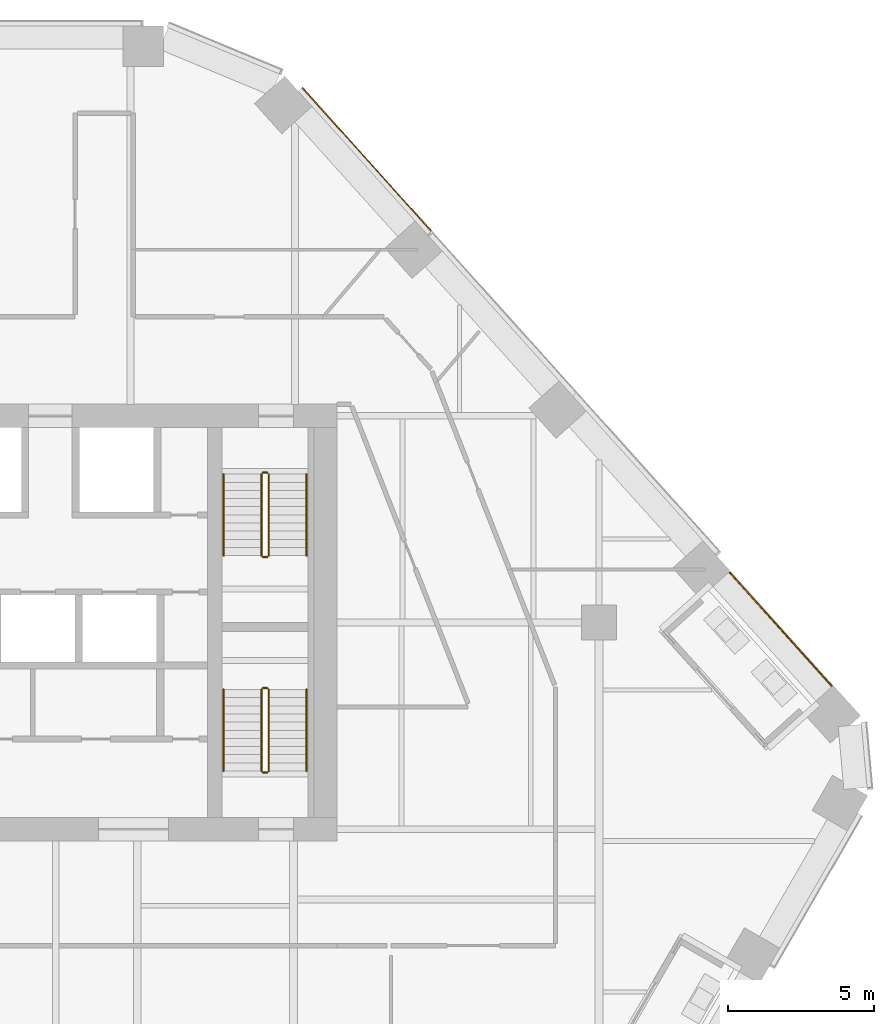
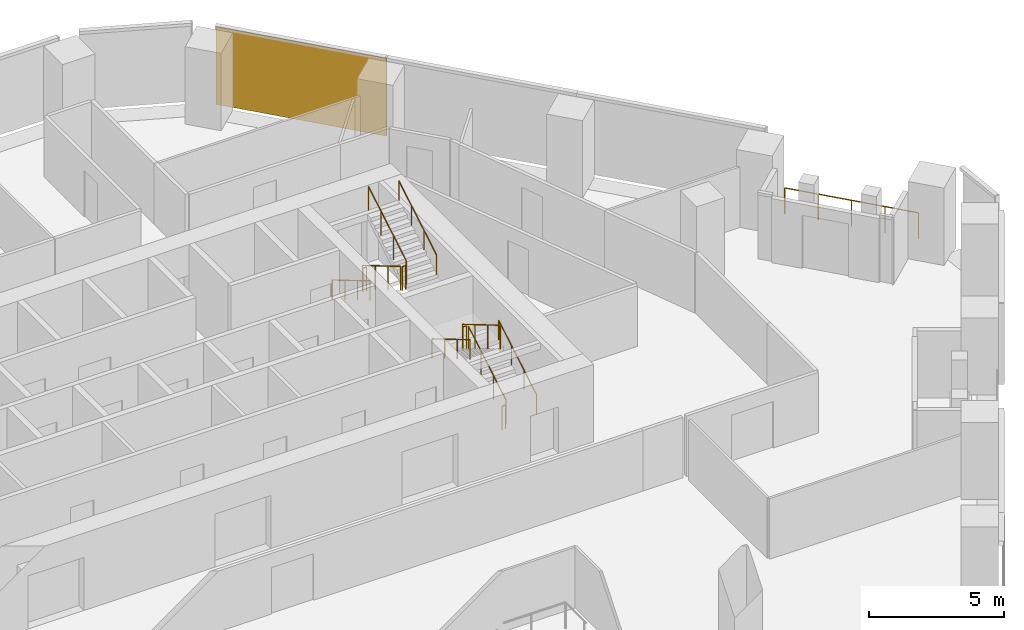
# One storey, part 25 of 26: 13 railings, 1 covering, 1 element without a shape of its own.
"""IFC4 building model written with IfcOpenShell, lengths in metres."""

from ifc_helpers import new_model, si_unit, direction, frame, origin, origin_2d, place, context, subcontext, project, spatial, rectangle, circle, extrude, material, layer, layer_set, type_object, element, aggregate, save


model = new_model("IFC4")

# Units and contexts
model_context = context("Model", 3, precision=1e-05, world=origin(), true_north=direction((0.0, 1.0)))
body_context = subcontext(model_context, "Body", "Model", "MODEL_VIEW")
ifc_project = project(units=[si_unit("LENGTHUNIT", "METRE"), si_unit("AREAUNIT", "SQUARE_METRE"), si_unit("VOLUMEUNIT", "CUBIC_METRE"), si_unit("PLANEANGLEUNIT", "RADIAN"), si_unit("MASSUNIT", "GRAM", prefix="KILO")], contexts=[model_context])

# Site, building, storey
site_placement = place(None, origin())
site = spatial("IfcSite", under=ifc_project, at=site_placement, CompositionType="ELEMENT")
building_placement = place(site_placement, origin())
building = spatial("IfcBuilding", under=site, at=building_placement, Name="Isthmus Gate Tower", CompositionType="ELEMENT")
storey_placement = place(building_placement, frame((0.0, 0.0, 129.800048828125)))
storey = spatial("IfcBuildingStorey", under=building, at=storey_placement, Name="L31", CompositionType="ELEMENT", Elevation=129.800048828125)

# Curtain wall, covering
ifc_material_1 = material(Name="Aluminium, pale champagne anodised", Category="aluminium")
ifc_layer_1 = layer(ifc_material_1, 0.199951171875)
ifc_layer_set_1 = layer_set([ifc_layer_1], Name="CW-1 UNITISED CURTAIN WALL 200 DEEP")
curtain_wall_type = type_object("IfcCurtainWallType", Name="CW-1 UNITISED CURTAIN WALL 200 DEEP", PredefinedType="NOTDEFINED", material=ifc_layer_set_1)
curtain_wall_placement = place(storey_placement, origin())
curtain_wall = element("IfcCurtainWall", 1, at=curtain_wall_placement, inside=storey, type_object=curtain_wall_type, Name="CW-1 NE L31", PredefinedType="NOTDEFINED")
ifc_material_2 = material(Name="Aluminium composite panel, pale champagne anodised", Category="aluminium")
ifc_layer_2 = layer(ifc_material_2, 0.035888671875)
ifc_layer_set_2 = layer_set([ifc_layer_2], Name="CW-1 PALE METAL PANEL 36")
covering_type = type_object("IfcCoveringType", Name="CW-1 PALE METAL PANEL 36", PredefinedType="CLADDING", material=ifc_layer_set_2)
covering_placement = place(storey_placement, frame((16.02392578125, 23.406494140625, 0.0), z_axis=(0.0, 0.0, 1.0), x_axis=(-0.669130606359, 0.743144825477, 0.0)))
covering = element("IfcCovering", 2, at=covering_placement, type_object=covering_type, Name="CW-1 pale metal panel", PredefinedType="CLADDING", context=body_context, shape_type="SweptSolid", body=[
    extrude(rectangle(XDim=6.630859375, YDim=0.035888671875, at=origin_2d()), origin(), (0.0, 0.0, 1.0), 3.510009765625),
])
aggregate(curtain_wall, [covering])

# Railings
ifc_material_3 = material(Name="Toughened laminated glass with stainless steel posts", Category="steel")
railing_type_1 = type_object("IfcRailingType", Name="GUARD 1200 FRAMELESS GLASS", PredefinedType="GUARDRAIL", material=ifc_material_3)
railing_1_placement = place(storey_placement, frame((31.982666015625, 5.335693359375, 0.0)))
element("IfcRailing", 3, at=railing_1_placement, inside=storey, type_object=railing_type_1, Name="LOGGIA GUARD", PredefinedType="GUARDRAIL", context=body_context, shape_type="SweptSolid", body=[
    extrude(circle(Radius=0.02490234375, at=origin_2d()), frame((0.0, 0.0, 1.1748046875), z_axis=(-0.669099324274, 0.743172990801, 0.0), x_axis=(-0.743172990801, -0.669099324274, 0.0)), (0.0, 0.0, 1.0), 5.2109375),
    extrude(circle(Radius=0.02490234375, at=origin_2d()), origin(), (0.0, 0.0, 1.0), 1.14990234375),
    extrude(circle(Radius=0.02490234375, at=origin_2d()), frame((-0.87158203125, 0.96826171875, 0.0)), (0.0, 0.0, 1.0), 1.14990234375),
    extrude(circle(Radius=0.02490234375, at=origin_2d()), frame((-1.7431640625, 1.936279296875, 0.0)), (0.0, 0.0, 1.0), 1.14990234375),
    extrude(circle(Radius=0.02490234375, at=origin_2d()), frame((-2.614990234375, 2.904296875, 0.0)), (0.0, 0.0, 1.0), 1.14990234375),
    extrude(circle(Radius=0.02490234375, at=origin_2d()), frame((-3.486572265625, 3.87255859375, 0.0)), (0.0, 0.0, 1.0), 1.14990234375),
])
ifc_material_4 = material(Name="Stainless steel balustrade", Category="steel")
railing_type_2 = type_object("IfcRailingType", Name="STAIR GUARD 1100", PredefinedType="GUARDRAIL", material=ifc_material_4)
railing_2_placement = place(storey_placement, frame((12.39990234375, 12.60009765625, 0.165771484375)))
element("IfcRailing", 4, at=railing_2_placement, inside=storey, type_object=railing_type_2, Name="L31 ST2 stair guard 1", PredefinedType="GUARDRAIL", context=body_context, shape_type="SweptSolid", body=[
    extrude(circle(Radius=0.02392578125, at=origin_2d()), frame((0.0, 0.0, 1.076171875), z_axis=(0.0, -0.860306154799, 0.50977771628), x_axis=(1.0, 0.0, 0.0)), (0.0, 0.0, 1.0), 3.254638671875),
    extrude(circle(Radius=0.02099609375, at=origin_2d()), origin(), (0.0, 0.0, 1.0), 1.052001953125),
    extrude(circle(Radius=0.02099609375, at=origin_2d()), frame((0.0, -0.933349609375, 0.552978515625)), (0.0, 0.0, 1.0), 1.052001953125),
    extrude(circle(Radius=0.02099609375, at=origin_2d()), frame((0.0, -1.86669921875, 1.106201171875)), (0.0, 0.0, 1.0), 1.052001953125),
    extrude(circle(Radius=0.02099609375, at=origin_2d()), frame((0.0, -2.800048828125, 1.6591796875)), (0.0, 0.0, 1.0), 1.052001953125),
])
railing_3_placement = place(storey_placement, frame((12.449951171875, 9.75, 1.824951171875)))
element("IfcRailing", 5, at=railing_3_placement, inside=storey, type_object=railing_type_2, Name="L31 ST2 stair guard 2", PredefinedType="GUARDRAIL", context=body_context, shape_type="SweptSolid", body=[
    extrude(circle(Radius=0.02392578125, at=origin_2d()), frame((0.0, 0.0, 1.076171875), z_axis=(1.0, 0.0, 0.0), x_axis=(0.0, 1.0, 0.0)), (0.0, 0.0, 1.0), 0.150146484375),
    extrude(circle(Radius=0.02099609375, at=origin_2d()), origin(), (0.0, 0.0, 1.0), 1.052001953125),
    extrude(circle(Radius=0.02099609375, at=origin_2d()), frame((0.150146484375, 0.0, 0.0)), (0.0, 0.0, 1.0), 1.052001953125),
])
railing_4_placement = place(storey_placement, frame((12.64990234375, 9.800048828125, 1.990966796875)))
element("IfcRailing", 6, at=railing_4_placement, inside=storey, type_object=railing_type_2, Name="L31 ST2 stair guard 3", PredefinedType="GUARDRAIL", context=body_context, shape_type="SweptSolid", body=[
    extrude(circle(Radius=0.02392578125, at=origin_2d()), frame((0.0, 0.0, 1.076171875), z_axis=(0.0, 0.860339051648, 0.50972219513), x_axis=(-1.0, 0.0, 0.0)), (0.0, 0.0, 1.0), 3.254638671875),
    extrude(circle(Radius=0.02099609375, at=origin_2d()), origin(), (0.0, 0.0, 1.0), 1.052001953125),
    extrude(circle(Radius=0.02099609375, at=origin_2d()), frame((0.0, 0.933349609375, 0.552978515625)), (0.0, 0.0, 1.0), 1.052001953125),
    extrude(circle(Radius=0.02099609375, at=origin_2d()), frame((0.0, 1.86669921875, 1.10595703125)), (0.0, 0.0, 1.0), 1.052001953125),
    extrude(circle(Radius=0.02099609375, at=origin_2d()), frame((0.0, 2.800048828125, 1.658935546875)), (0.0, 0.0, 1.0), 1.052001953125),
])
railing_5_placement = place(storey_placement, frame((12.449951171875, 12.64990234375, 0.0)))
element("IfcRailing", 7, at=railing_5_placement, inside=storey, type_object=railing_type_2, Name="L31 ST2 stair guard 4", PredefinedType="GUARDRAIL", context=body_context, shape_type="SweptSolid", body=[
    extrude(circle(Radius=0.02392578125, at=origin_2d()), frame((0.0, 0.0, 1.076171875), z_axis=(1.0, 0.0, 0.0), x_axis=(0.0, 1.0, 0.0)), (0.0, 0.0, 1.0), 0.150146484375),
    extrude(circle(Radius=0.02099609375, at=origin_2d()), origin(), (0.0, 0.0, 1.0), 1.052001953125),
    extrude(circle(Radius=0.02099609375, at=origin_2d()), frame((0.150146484375, 0.0, 0.0)), (0.0, 0.0, 1.0), 1.052001953125),
])
railing_6_placement = place(storey_placement, frame((12.64990234375, 2.39990234375, 0.165771484375)))
element("IfcRailing", 8, at=railing_6_placement, inside=storey, type_object=railing_type_2, Name="L31 ST8 stair guard 1", PredefinedType="GUARDRAIL", context=body_context, shape_type="SweptSolid", body=[
    extrude(circle(Radius=0.02392578125, at=origin_2d()), frame((0.0, 0.0, 1.076171875), z_axis=(0.0, 0.860306154799, 0.50977771628), x_axis=(-1.0, 0.0, 0.0)), (0.0, 0.0, 1.0), 3.254638671875),
    extrude(circle(Radius=0.02099609375, at=origin_2d()), origin(), (0.0, 0.0, 1.0), 1.052001953125),
    extrude(circle(Radius=0.02099609375, at=origin_2d()), frame((0.0, 0.933349609375, 0.552978515625)), (0.0, 0.0, 1.0), 1.052001953125),
    extrude(circle(Radius=0.02099609375, at=origin_2d()), frame((0.0, 1.86669921875, 1.106201171875)), (0.0, 0.0, 1.0), 1.052001953125),
    extrude(circle(Radius=0.02099609375, at=origin_2d()), frame((0.0, 2.800048828125, 1.6591796875)), (0.0, 0.0, 1.0), 1.052001953125),
])
railing_7_placement = place(storey_placement, frame((12.60009765625, 5.25, 1.824951171875)))
element("IfcRailing", 9, at=railing_7_placement, inside=storey, type_object=railing_type_2, Name="L31 ST8 stair guard 2", PredefinedType="GUARDRAIL", context=body_context, shape_type="SweptSolid", body=[
    extrude(circle(Radius=0.02392578125, at=origin_2d()), frame((0.0, 0.0, 1.076171875), z_axis=(-1.0, 0.0, 0.0), x_axis=(0.0, -1.0, 0.0)), (0.0, 0.0, 1.0), 0.150146484375),
    extrude(circle(Radius=0.02099609375, at=origin_2d()), origin(), (0.0, 0.0, 1.0), 1.052001953125),
    extrude(circle(Radius=0.02099609375, at=origin_2d()), frame((-0.150146484375, 0.0, 0.0)), (0.0, 0.0, 1.0), 1.052001953125),
])
railing_8_placement = place(storey_placement, frame((12.39990234375, 5.199951171875, 1.990966796875)))
element("IfcRailing", 10, at=railing_8_placement, inside=storey, type_object=railing_type_2, Name="L31 ST8 stair guard 3", PredefinedType="GUARDRAIL", context=body_context, shape_type="SweptSolid", body=[
    extrude(circle(Radius=0.02392578125, at=origin_2d()), frame((0.0, 0.0, 1.076171875), z_axis=(0.0, -0.860339051648, 0.50972219513), x_axis=(1.0, 0.0, 0.0)), (0.0, 0.0, 1.0), 3.254638671875),
    extrude(circle(Radius=0.02099609375, at=origin_2d()), origin(), (0.0, 0.0, 1.0), 1.052001953125),
    extrude(circle(Radius=0.02099609375, at=origin_2d()), frame((0.0, -0.933349609375, 0.552978515625)), (0.0, 0.0, 1.0), 1.052001953125),
    extrude(circle(Radius=0.02099609375, at=origin_2d()), frame((0.0, -1.86669921875, 1.10595703125)), (0.0, 0.0, 1.0), 1.052001953125),
    extrude(circle(Radius=0.02099609375, at=origin_2d()), frame((0.0, -2.800048828125, 1.658935546875)), (0.0, 0.0, 1.0), 1.052001953125),
])
railing_9_placement = place(storey_placement, frame((12.60009765625, 2.35009765625, 0.0)))
element("IfcRailing", 11, at=railing_9_placement, inside=storey, type_object=railing_type_2, Name="L31 ST8 stair guard 4", PredefinedType="GUARDRAIL", context=body_context, shape_type="SweptSolid", body=[
    extrude(circle(Radius=0.02392578125, at=origin_2d()), frame((0.0, 0.0, 1.076171875), z_axis=(-1.0, 0.0, 0.0), x_axis=(0.0, -1.0, 0.0)), (0.0, 0.0, 1.0), 0.150146484375),
    extrude(circle(Radius=0.02099609375, at=origin_2d()), origin(), (0.0, 0.0, 1.0), 1.052001953125),
    extrude(circle(Radius=0.02099609375, at=origin_2d()), frame((-0.150146484375, 0.0, 0.0)), (0.0, 0.0, 1.0), 1.052001953125),
])
ifc_material_5 = material(Name="Stainless steel handrail", Category="steel")
railing_type_3 = type_object("IfcRailingType", Name="STAIR HANDRAIL 900", PredefinedType="HANDRAIL", material=ifc_material_5)
railing_10_placement = place(storey_placement, frame((11.10009765625, 12.60009765625, 0.165771484375)))
element("IfcRailing", 12, at=railing_10_placement, inside=storey, type_object=railing_type_3, Name="L31 ST2 stair handrail 1", PredefinedType="HANDRAIL", context=body_context, shape_type="SweptSolid", body=[
    extrude(circle(Radius=0.02392578125, at=origin_2d()), frame((0.0, 0.0, 0.8759765625), z_axis=(0.0, -0.860306154799, 0.50977771628), x_axis=(1.0, 0.0, 0.0)), (0.0, 0.0, 1.0), 3.254638671875),
    extrude(circle(Radius=0.02099609375, at=origin_2d()), origin(), (0.0, 0.0, 1.0), 0.851806640625),
    extrude(circle(Radius=0.02099609375, at=origin_2d()), frame((0.0, -0.933349609375, 0.552978515625)), (0.0, 0.0, 1.0), 0.851806640625),
    extrude(circle(Radius=0.02099609375, at=origin_2d()), frame((0.0, -1.86669921875, 1.106201171875)), (0.0, 0.0, 1.0), 0.851806640625),
    extrude(circle(Radius=0.02099609375, at=origin_2d()), frame((0.0, -2.800048828125, 1.6591796875)), (0.0, 0.0, 1.0), 0.851806640625),
])
railing_11_placement = place(storey_placement, frame((13.949951171875, 9.800048828125, 1.990966796875)))
element("IfcRailing", 13, at=railing_11_placement, inside=storey, type_object=railing_type_3, Name="L31 ST2 stair handrail 2", PredefinedType="HANDRAIL", context=body_context, shape_type="SweptSolid", body=[
    extrude(circle(Radius=0.02392578125, at=origin_2d()), frame((0.0, 0.0, 0.8759765625), z_axis=(0.0, 0.860339051648, 0.50972219513), x_axis=(-1.0, 0.0, 0.0)), (0.0, 0.0, 1.0), 3.254638671875),
    extrude(circle(Radius=0.02099609375, at=origin_2d()), origin(), (0.0, 0.0, 1.0), 0.851806640625),
    extrude(circle(Radius=0.02099609375, at=origin_2d()), frame((0.0, 0.933349609375, 0.552978515625)), (0.0, 0.0, 1.0), 0.851806640625),
    extrude(circle(Radius=0.02099609375, at=origin_2d()), frame((0.0, 1.86669921875, 1.10595703125)), (0.0, 0.0, 1.0), 0.851806640625),
    extrude(circle(Radius=0.02099609375, at=origin_2d()), frame((0.0, 2.800048828125, 1.658935546875)), (0.0, 0.0, 1.0), 0.851806640625),
])
railing_12_placement = place(storey_placement, frame((13.949951171875, 2.39990234375, 0.165771484375)))
element("IfcRailing", 14, at=railing_12_placement, inside=storey, type_object=railing_type_3, Name="L31 ST8 stair handrail 1", PredefinedType="HANDRAIL", context=body_context, shape_type="SweptSolid", body=[
    extrude(circle(Radius=0.02392578125, at=origin_2d()), frame((0.0, 0.0, 0.8759765625), z_axis=(0.0, 0.860306154799, 0.50977771628), x_axis=(-1.0, 0.0, 0.0)), (0.0, 0.0, 1.0), 3.254638671875),
    extrude(circle(Radius=0.02099609375, at=origin_2d()), origin(), (0.0, 0.0, 1.0), 0.851806640625),
    extrude(circle(Radius=0.02099609375, at=origin_2d()), frame((0.0, 0.933349609375, 0.552978515625)), (0.0, 0.0, 1.0), 0.851806640625),
    extrude(circle(Radius=0.02099609375, at=origin_2d()), frame((0.0, 1.86669921875, 1.106201171875)), (0.0, 0.0, 1.0), 0.851806640625),
    extrude(circle(Radius=0.02099609375, at=origin_2d()), frame((0.0, 2.800048828125, 1.6591796875)), (0.0, 0.0, 1.0), 0.851806640625),
])
railing_13_placement = place(storey_placement, frame((11.10009765625, 5.199951171875, 1.990966796875)))
element("IfcRailing", 15, at=railing_13_placement, inside=storey, type_object=railing_type_3, Name="L31 ST8 stair handrail 2", PredefinedType="HANDRAIL", context=body_context, shape_type="SweptSolid", body=[
    extrude(circle(Radius=0.02392578125, at=origin_2d()), frame((0.0, 0.0, 0.8759765625), z_axis=(0.0, -0.860339051648, 0.50972219513), x_axis=(1.0, 0.0, 0.0)), (0.0, 0.0, 1.0), 3.254638671875),
    extrude(circle(Radius=0.02099609375, at=origin_2d()), origin(), (0.0, 0.0, 1.0), 0.851806640625),
    extrude(circle(Radius=0.02099609375, at=origin_2d()), frame((0.0, -0.933349609375, 0.552978515625)), (0.0, 0.0, 1.0), 0.851806640625),
    extrude(circle(Radius=0.02099609375, at=origin_2d()), frame((0.0, -1.86669921875, 1.10595703125)), (0.0, 0.0, 1.0), 0.851806640625),
    extrude(circle(Radius=0.02099609375, at=origin_2d()), frame((0.0, -2.800048828125, 1.658935546875)), (0.0, 0.0, 1.0), 0.851806640625),
])

save(model, "model.ifc")
